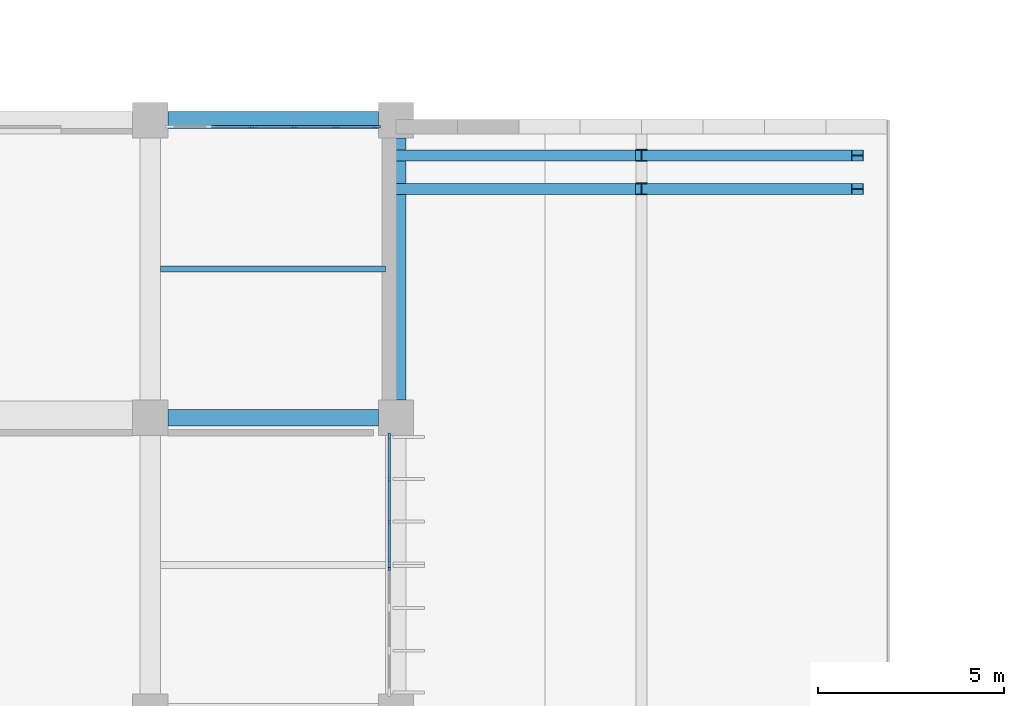
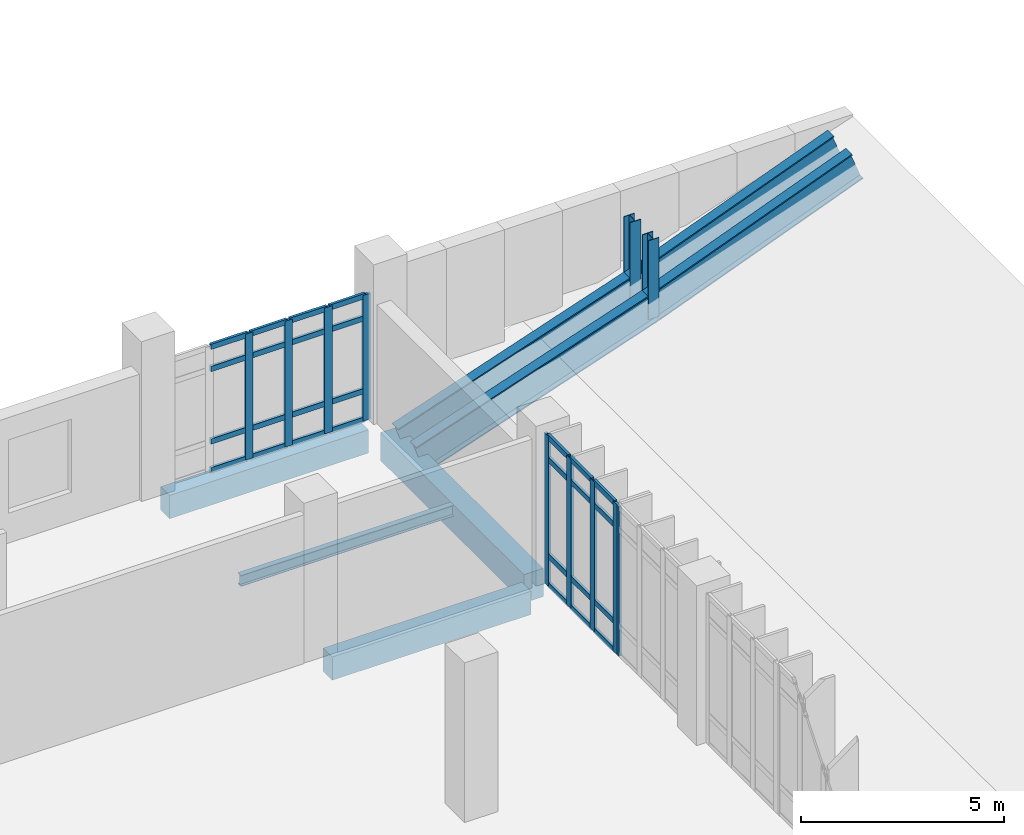
# One storey, part 45 of 90: 43 members, 4 beams, 3 elements without a shape of their own.
"""IFC4 building model written with IfcOpenShell, lengths in metres."""

from ifc_helpers import new_model, si_unit, direction, frame, origin, origin_2d, place, context, subcontext, project, spatial, rectangle, i_section, extrude, material, layer, layer_set, material_profile, profile_set, type_object, element, aggregate, save


model = new_model("IFC4")

# Units and contexts
model_context = context("Model", 3, precision=1e-05, world=origin(), true_north=direction((0.0, 1.0)))
body_context = subcontext(model_context, "Body", "Model", "MODEL_VIEW")
ifc_project = project(units=[si_unit("LENGTHUNIT", "METRE"), si_unit("AREAUNIT", "SQUARE_METRE"), si_unit("VOLUMEUNIT", "CUBIC_METRE"), si_unit("PLANEANGLEUNIT", "RADIAN"), si_unit("MASSUNIT", "GRAM", prefix="KILO")], contexts=[model_context])

# Site, building, storey
site_placement = place(None, origin())
site = spatial("IfcSite", under=ifc_project, at=site_placement, CompositionType="ELEMENT")
building_placement = place(site_placement, origin())
building = spatial("IfcBuilding", under=site, at=building_placement, Name="Kelarvand Opera House", CompositionType="ELEMENT")
storey_placement = place(building_placement, frame((0.0, 0.0, 5.39990234375)))
storey = spatial("IfcBuildingStorey", under=building, at=storey_placement, Name="L01", CompositionType="ELEMENT", Elevation=5.39990234375)

# Curtain wall, members
ifc_material_1 = material(Name="Thermally broken aluminium and low-E glazing", Category="aluminium")
ifc_layer_1 = layer(ifc_material_1, 0.219970703125, Name="Thermally broken aluminium and low-E glazing", Category="aluminium")
ifc_layer_set_1 = layer_set([ifc_layer_1], Name="Thermally broken aluminium and low-E glazing")
curtain_wall_type_1 = type_object("IfcCurtainWallType", Name="Unitised Low-E Curtain Wall 5630x3780 Mod 1150 CWF-03", PredefinedType="USERDEFINED", material=ifc_layer_set_1)
curtain_wall_1_placement = place(storey_placement, origin())
curtain_wall_1 = element("IfcCurtainWall", 1, at=curtain_wall_1_placement, inside=storey, type_object=curtain_wall_type_1, Name="V1 L01 Curtain Wall CWF-03 (7)", ObjectType="UNITISED CURTAIN WALL", PredefinedType="USERDEFINED")
ifc_material_2 = material(Name="Thermally broken anodised aluminium", Category="aluminium")
ifc_material_profile_1 = material_profile(ifc_material_2, rectangle(XDim=0.074951171875, YDim=0.219970703125, at=origin_2d()), Name="ALU MULLION 75x220", Category="aluminium")
ifc_profile_set_1 = profile_set([ifc_material_profile_1], Name="Thermally broken anodised aluminium")
member_type_1 = type_object("IfcMemberType", Name="Curtain Wall Mullion 75x220 Heavy Plaza", PredefinedType="MULLION", material=ifc_profile_set_1)
member_1_placement = place(storey_placement, frame((137.93701171875, 78.219970703125, 0.0), z_axis=(0.0, 0.0, 1.0), x_axis=(0.0, 1.0, 0.0)))
member_1 = element("IfcMember", 2, at=member_1_placement, type_object=member_type_1, Name="CWF-03 mullion 3", PredefinedType="MULLION", context=body_context, shape_type="SweptSolid", body=[
    extrude(rectangle(XDim=0.074951171875, YDim=0.219970703125, at=origin_2d()), origin(), (0.0, 0.0, 1.0), 3.780029296875),
])
member_2_placement = place(storey_placement, frame((139.06298828125, 78.219970703125, 0.0), z_axis=(0.0, 0.0, 1.0), x_axis=(0.0, 1.0, 0.0)))
member_2 = element("IfcMember", 3, at=member_2_placement, type_object=member_type_1, Name="CWF-03 mullion 4", PredefinedType="MULLION", context=body_context, shape_type="SweptSolid", body=[
    extrude(rectangle(XDim=0.074951171875, YDim=0.219970703125, at=origin_2d()), origin(), (0.0, 0.0, 1.0), 3.780029296875),
])
member_3_placement = place(storey_placement, frame((140.18896484375, 78.219970703125, 0.0), z_axis=(0.0, 0.0, 1.0), x_axis=(0.0, 1.0, 0.0)))
member_3 = element("IfcMember", 4, at=member_3_placement, type_object=member_type_1, Name="CWF-03 mullion 5", PredefinedType="MULLION", context=body_context, shape_type="SweptSolid", body=[
    extrude(rectangle(XDim=0.074951171875, YDim=0.219970703125, at=origin_2d()), origin(), (0.0, 0.0, 1.0), 3.780029296875),
])
member_4_placement = place(storey_placement, frame((141.277587890625, 78.219970703125, 0.0), z_axis=(0.0, 0.0, 1.0), x_axis=(0.0, 1.0, 0.0)))
member_4 = element("IfcMember", 5, at=member_4_placement, type_object=member_type_1, Name="CWF-03 mullion 6", PredefinedType="MULLION", context=body_context, shape_type="SweptSolid", body=[
    extrude(rectangle(XDim=0.074951171875, YDim=0.219970703125, at=origin_2d()), origin(), (0.0, 0.0, 1.0), 3.780029296875),
])

ifc_layer_2 = layer(ifc_material_1, 0.219970703125, Name="Thermally broken aluminium and low-E glazing", Category="aluminium")
ifc_layer_set_2 = layer_set([ifc_layer_2], Name="Thermally broken aluminium and low-E glazing")
curtain_wall_type_2 = type_object("IfcCurtainWallType", Name="Unitised Low-E Curtain Wall 3461x4500 Mod 1150 CWF-04", PredefinedType="USERDEFINED", material=ifc_layer_set_2)
curtain_wall_2_placement = place(storey_placement, origin())
curtain_wall_2 = element("IfcCurtainWall", 6, at=curtain_wall_2_placement, inside=storey, type_object=curtain_wall_type_2, Name="V1 L01 Curtain Wall CWF-04 (8)", ObjectType="UNITISED CURTAIN WALL", PredefinedType="USERDEFINED")
member_5_placement = place(storey_placement, frame((141.6201171875, 69.87744140625, 0.0), z_axis=(0.0, 0.0, 1.0), x_axis=(1.0, 0.0, 0.0)))
member_5 = element("IfcMember", 7, at=member_5_placement, type_object=member_type_1, Name="CWF-04 mullion 1", PredefinedType="MULLION", context=body_context, shape_type="SweptSolid", body=[
    extrude(rectangle(XDim=0.074951171875, YDim=0.219970703125, at=origin_2d()), origin(), (0.0, 0.0, 1.0), 4.5),
])
member_6_placement = place(storey_placement, frame((141.6201171875, 68.76123046875, 0.0), z_axis=(0.0, 0.0, 1.0), x_axis=(1.0, 0.0, 0.0)))
member_6 = element("IfcMember", 8, at=member_6_placement, type_object=member_type_1, Name="CWF-04 mullion 2", PredefinedType="MULLION", context=body_context, shape_type="SweptSolid", body=[
    extrude(rectangle(XDim=0.074951171875, YDim=0.219970703125, at=origin_2d()), origin(), (0.0, 0.0, 1.0), 4.5),
])
member_7_placement = place(storey_placement, frame((141.6201171875, 67.607666015625, 0.0), z_axis=(0.0, 0.0, 1.0), x_axis=(1.0, 0.0, 0.0)))
member_7 = element("IfcMember", 9, at=member_7_placement, type_object=member_type_1, Name="CWF-04 mullion 3", PredefinedType="MULLION", context=body_context, shape_type="SweptSolid", body=[
    extrude(rectangle(XDim=0.074951171875, YDim=0.219970703125, at=origin_2d()), origin(), (0.0, 0.0, 1.0), 4.5),
])
member_8_placement = place(storey_placement, frame((141.6201171875, 66.491455078125, 0.0), z_axis=(0.0, 0.0, 1.0), x_axis=(1.0, 0.0, 0.0)))
member_8 = element("IfcMember", 10, at=member_8_placement, type_object=member_type_1, Name="CWF-04 mullion 4", PredefinedType="MULLION", context=body_context, shape_type="SweptSolid", body=[
    extrude(rectangle(XDim=0.074951171875, YDim=0.219970703125, at=origin_2d()), origin(), (0.0, 0.0, 1.0), 4.5),
])

# Curtain wall, member
curtain_wall_3_placement = place(storey_placement, origin())
curtain_wall_3 = element("IfcCurtainWall", 11, at=curtain_wall_3_placement, inside=storey, type_object=curtain_wall_type_2, Name="V1 L01 Curtain Wall CWF-04 (9)", ObjectType="UNITISED CURTAIN WALL", PredefinedType="USERDEFINED")
member_9_placement = place(storey_placement, frame((141.6201171875, 66.41259765625, 0.0), z_axis=(0.0, 0.0, 1.0), x_axis=(1.0, 0.0, 0.0)))
member_9 = element("IfcMember", 12, at=member_9_placement, type_object=member_type_1, Name="CWF-04 mullion 1", PredefinedType="MULLION", context=body_context, shape_type="SweptSolid", body=[
    extrude(rectangle(XDim=0.074951171875, YDim=0.219970703125, at=origin_2d()), origin(), (0.0, 0.0, 1.0), 4.5),
])
aggregate(curtain_wall_3, [member_9])

# Member
ifc_material_profile_2 = material_profile(ifc_material_2, rectangle(XDim=0.074951171875, YDim=0.159912109375, at=origin_2d()), Name="ALU TRANSOM 75x160", Category="aluminium")
ifc_profile_set_2 = profile_set([ifc_material_profile_2], Name="Thermally broken anodised aluminium")
member_type_2 = type_object("IfcMemberType", Name="Curtain Wall Transom 75x160 Heavy Plaza", PredefinedType="USERDEFINED", material=ifc_profile_set_2)
member_10_placement = place(storey_placement, frame((136.848388671875, 78.219970703125, 0.03759765625), z_axis=(1.0, 0.0, 0.0), x_axis=(0.0, 1.0, 0.0)))
member_10 = element("IfcMember", 13, at=member_10_placement, type_object=member_type_2, Name="CWF-03 transom 2.1", ObjectType="TRANSOM", PredefinedType="USERDEFINED", context=body_context, shape_type="SweptSolid", body=[
    extrude(rectangle(XDim=0.074951171875, YDim=0.159912109375, at=origin_2d()), origin(), (0.0, 0.0, 1.0), 1.051025390625),
])

member_11_placement = place(storey_placement, frame((136.848388671875, 78.219970703125, 0.900146484375), z_axis=(1.0, 0.0, 0.0), x_axis=(0.0, 1.0, 0.0)))
member_11 = element("IfcMember", 14, at=member_11_placement, type_object=member_type_2, Name="CWF-03 transom 2.2", ObjectType="TRANSOM", PredefinedType="USERDEFINED", context=body_context, shape_type="SweptSolid", body=[
    extrude(rectangle(XDim=0.074951171875, YDim=0.159912109375, at=origin_2d()), origin(), (0.0, 0.0, 1.0), 1.051025390625),
])

member_12_placement = place(storey_placement, frame((136.848388671875, 78.219970703125, 3.080078125), z_axis=(1.0, 0.0, 0.0), x_axis=(0.0, 1.0, 0.0)))
member_12 = element("IfcMember", 15, at=member_12_placement, type_object=member_type_2, Name="CWF-03 transom 2.3", ObjectType="TRANSOM", PredefinedType="USERDEFINED", context=body_context, shape_type="SweptSolid", body=[
    extrude(rectangle(XDim=0.074951171875, YDim=0.159912109375, at=origin_2d()), origin(), (0.0, 0.0, 1.0), 1.051025390625),
])

member_13_placement = place(storey_placement, frame((136.848388671875, 78.219970703125, 3.74267578125), z_axis=(1.0, 0.0, 0.0), x_axis=(0.0, 1.0, 0.0)))
member_13 = element("IfcMember", 16, at=member_13_placement, type_object=member_type_2, Name="CWF-03 transom 2.4", ObjectType="TRANSOM", PredefinedType="USERDEFINED", context=body_context, shape_type="SweptSolid", body=[
    extrude(rectangle(XDim=0.074951171875, YDim=0.159912109375, at=origin_2d()), origin(), (0.0, 0.0, 1.0), 1.051025390625),
])

member_14_placement = place(storey_placement, frame((137.974609375, 78.219970703125, 0.03759765625), z_axis=(1.0, 0.0, 0.0), x_axis=(0.0, 1.0, 0.0)))
member_14 = element("IfcMember", 17, at=member_14_placement, type_object=member_type_2, Name="CWF-03 transom 3.1", ObjectType="TRANSOM", PredefinedType="USERDEFINED", context=body_context, shape_type="SweptSolid", body=[
    extrude(rectangle(XDim=0.074951171875, YDim=0.159912109375, at=origin_2d()), origin(), (0.0, 0.0, 1.0), 1.05078125),
])

member_15_placement = place(storey_placement, frame((137.974609375, 78.219970703125, 0.900146484375), z_axis=(1.0, 0.0, 0.0), x_axis=(0.0, 1.0, 0.0)))
member_15 = element("IfcMember", 18, at=member_15_placement, type_object=member_type_2, Name="CWF-03 transom 3.2", ObjectType="TRANSOM", PredefinedType="USERDEFINED", context=body_context, shape_type="SweptSolid", body=[
    extrude(rectangle(XDim=0.074951171875, YDim=0.159912109375, at=origin_2d()), origin(), (0.0, 0.0, 1.0), 1.05078125),
])

member_16_placement = place(storey_placement, frame((137.974609375, 78.219970703125, 3.080078125), z_axis=(1.0, 0.0, 0.0), x_axis=(0.0, 1.0, 0.0)))
member_16 = element("IfcMember", 19, at=member_16_placement, type_object=member_type_2, Name="CWF-03 transom 3.3", ObjectType="TRANSOM", PredefinedType="USERDEFINED", context=body_context, shape_type="SweptSolid", body=[
    extrude(rectangle(XDim=0.074951171875, YDim=0.159912109375, at=origin_2d()), origin(), (0.0, 0.0, 1.0), 1.05078125),
])

member_17_placement = place(storey_placement, frame((137.974609375, 78.219970703125, 3.74267578125), z_axis=(1.0, 0.0, 0.0), x_axis=(0.0, 1.0, 0.0)))
member_17 = element("IfcMember", 20, at=member_17_placement, type_object=member_type_2, Name="CWF-03 transom 3.4", ObjectType="TRANSOM", PredefinedType="USERDEFINED", context=body_context, shape_type="SweptSolid", body=[
    extrude(rectangle(XDim=0.074951171875, YDim=0.159912109375, at=origin_2d()), origin(), (0.0, 0.0, 1.0), 1.05078125),
])

member_18_placement = place(storey_placement, frame((139.1005859375, 78.219970703125, 0.03759765625), z_axis=(1.0, 0.0, 0.0), x_axis=(0.0, 1.0, 0.0)))
member_18 = element("IfcMember", 21, at=member_18_placement, type_object=member_type_2, Name="CWF-03 transom 4.1", ObjectType="TRANSOM", PredefinedType="USERDEFINED", context=body_context, shape_type="SweptSolid", body=[
    extrude(rectangle(XDim=0.074951171875, YDim=0.159912109375, at=origin_2d()), origin(), (0.0, 0.0, 1.0), 1.051025390625),
])

member_19_placement = place(storey_placement, frame((139.1005859375, 78.219970703125, 0.900146484375), z_axis=(1.0, 0.0, 0.0), x_axis=(0.0, 1.0, 0.0)))
member_19 = element("IfcMember", 22, at=member_19_placement, type_object=member_type_2, Name="CWF-03 transom 4.2", ObjectType="TRANSOM", PredefinedType="USERDEFINED", context=body_context, shape_type="SweptSolid", body=[
    extrude(rectangle(XDim=0.074951171875, YDim=0.159912109375, at=origin_2d()), origin(), (0.0, 0.0, 1.0), 1.051025390625),
])

member_20_placement = place(storey_placement, frame((139.1005859375, 78.219970703125, 3.080078125), z_axis=(1.0, 0.0, 0.0), x_axis=(0.0, 1.0, 0.0)))
member_20 = element("IfcMember", 23, at=member_20_placement, type_object=member_type_2, Name="CWF-03 transom 4.3", ObjectType="TRANSOM", PredefinedType="USERDEFINED", context=body_context, shape_type="SweptSolid", body=[
    extrude(rectangle(XDim=0.074951171875, YDim=0.159912109375, at=origin_2d()), origin(), (0.0, 0.0, 1.0), 1.051025390625),
])

member_21_placement = place(storey_placement, frame((139.1005859375, 78.219970703125, 3.74267578125), z_axis=(1.0, 0.0, 0.0), x_axis=(0.0, 1.0, 0.0)))
member_21 = element("IfcMember", 24, at=member_21_placement, type_object=member_type_2, Name="CWF-03 transom 4.4", ObjectType="TRANSOM", PredefinedType="USERDEFINED", context=body_context, shape_type="SweptSolid", body=[
    extrude(rectangle(XDim=0.074951171875, YDim=0.159912109375, at=origin_2d()), origin(), (0.0, 0.0, 1.0), 1.051025390625),
])

member_22_placement = place(storey_placement, frame((140.2265625, 78.219970703125, 0.03759765625), z_axis=(1.0, 0.0, 0.0), x_axis=(0.0, 1.0, 0.0)))
member_22 = element("IfcMember", 25, at=member_22_placement, type_object=member_type_2, Name="CWF-03 transom 5.1", ObjectType="TRANSOM", PredefinedType="USERDEFINED", context=body_context, shape_type="SweptSolid", body=[
    extrude(rectangle(XDim=0.074951171875, YDim=0.159912109375, at=origin_2d()), origin(), (0.0, 0.0, 1.0), 1.013427734375),
])

member_23_placement = place(storey_placement, frame((140.2265625, 78.219970703125, 0.900146484375), z_axis=(1.0, 0.0, 0.0), x_axis=(0.0, 1.0, 0.0)))
member_23 = element("IfcMember", 26, at=member_23_placement, type_object=member_type_2, Name="CWF-03 transom 5.2", ObjectType="TRANSOM", PredefinedType="USERDEFINED", context=body_context, shape_type="SweptSolid", body=[
    extrude(rectangle(XDim=0.074951171875, YDim=0.159912109375, at=origin_2d()), origin(), (0.0, 0.0, 1.0), 1.013427734375),
])

member_24_placement = place(storey_placement, frame((140.2265625, 78.219970703125, 3.080078125), z_axis=(1.0, 0.0, 0.0), x_axis=(0.0, 1.0, 0.0)))
member_24 = element("IfcMember", 27, at=member_24_placement, type_object=member_type_2, Name="CWF-03 transom 5.3", ObjectType="TRANSOM", PredefinedType="USERDEFINED", context=body_context, shape_type="SweptSolid", body=[
    extrude(rectangle(XDim=0.074951171875, YDim=0.159912109375, at=origin_2d()), origin(), (0.0, 0.0, 1.0), 1.013427734375),
])

member_25_placement = place(storey_placement, frame((140.2265625, 78.219970703125, 3.74267578125), z_axis=(1.0, 0.0, 0.0), x_axis=(0.0, 1.0, 0.0)))
member_25 = element("IfcMember", 28, at=member_25_placement, type_object=member_type_2, Name="CWF-03 transom 5.4", ObjectType="TRANSOM", PredefinedType="USERDEFINED", context=body_context, shape_type="SweptSolid", body=[
    extrude(rectangle(XDim=0.074951171875, YDim=0.159912109375, at=origin_2d()), origin(), (0.0, 0.0, 1.0), 1.013427734375),
])

aggregate(curtain_wall_1, [member_1, member_2, member_3, member_4, member_10, member_11, member_12, member_13, member_14, member_15, member_16, member_17, member_18, member_19, member_20, member_21, member_22, member_23, member_24, member_25])

member_26_placement = place(storey_placement, frame((141.6201171875, 69.840087890625, 0.03759765625), z_axis=(0.0, -1.0, 0.0), x_axis=(1.0, 0.0, 0.0)))
member_26 = element("IfcMember", 29, at=member_26_placement, type_object=member_type_2, Name="CWF-04 transom 1.1", ObjectType="TRANSOM", PredefinedType="USERDEFINED", context=body_context, shape_type="SweptSolid", body=[
    extrude(rectangle(XDim=0.074951171875, YDim=0.159912109375, at=origin_2d()), origin(), (0.0, 0.0, 1.0), 1.041259765625),
])

member_27_placement = place(storey_placement, frame((141.6201171875, 69.840087890625, 0.900146484375), z_axis=(0.0, -1.0, 0.0), x_axis=(1.0, 0.0, 0.0)))
member_27 = element("IfcMember", 30, at=member_27_placement, type_object=member_type_2, Name="CWF-04 transom 1.2", ObjectType="TRANSOM", PredefinedType="USERDEFINED", context=body_context, shape_type="SweptSolid", body=[
    extrude(rectangle(XDim=0.074951171875, YDim=0.159912109375, at=origin_2d()), origin(), (0.0, 0.0, 1.0), 1.041259765625),
])

member_28_placement = place(storey_placement, frame((141.6201171875, 69.840087890625, 3.800048828125), z_axis=(0.0, -1.0, 0.0), x_axis=(1.0, 0.0, 0.0)))
member_28 = element("IfcMember", 31, at=member_28_placement, type_object=member_type_2, Name="CWF-04 transom 1.3", ObjectType="TRANSOM", PredefinedType="USERDEFINED", context=body_context, shape_type="SweptSolid", body=[
    extrude(rectangle(XDim=0.074951171875, YDim=0.159912109375, at=origin_2d()), origin(), (0.0, 0.0, 1.0), 1.041259765625),
])

member_29_placement = place(storey_placement, frame((141.6201171875, 69.840087890625, 4.462646484375), z_axis=(0.0, -1.0, 0.0), x_axis=(1.0, 0.0, 0.0)))
member_29 = element("IfcMember", 32, at=member_29_placement, type_object=member_type_2, Name="CWF-04 transom 1.4", ObjectType="TRANSOM", PredefinedType="USERDEFINED", context=body_context, shape_type="SweptSolid", body=[
    extrude(rectangle(XDim=0.074951171875, YDim=0.159912109375, at=origin_2d()), origin(), (0.0, 0.0, 1.0), 1.041259765625),
])

member_30_placement = place(storey_placement, frame((141.6201171875, 68.723876953125, 0.03759765625), z_axis=(0.0, -1.0, 0.0), x_axis=(1.0, 0.0, 0.0)))
member_30 = element("IfcMember", 33, at=member_30_placement, type_object=member_type_2, Name="CWF-04 transom 2.1", ObjectType="TRANSOM", PredefinedType="USERDEFINED", context=body_context, shape_type="SweptSolid", body=[
    extrude(rectangle(XDim=0.074951171875, YDim=0.159912109375, at=origin_2d()), origin(), (0.0, 0.0, 1.0), 1.07861328125),
])

member_31_placement = place(storey_placement, frame((141.6201171875, 68.723876953125, 0.900146484375), z_axis=(0.0, -1.0, 0.0), x_axis=(1.0, 0.0, 0.0)))
member_31 = element("IfcMember", 34, at=member_31_placement, type_object=member_type_2, Name="CWF-04 transom 2.2", ObjectType="TRANSOM", PredefinedType="USERDEFINED", context=body_context, shape_type="SweptSolid", body=[
    extrude(rectangle(XDim=0.074951171875, YDim=0.159912109375, at=origin_2d()), origin(), (0.0, 0.0, 1.0), 1.07861328125),
])

member_32_placement = place(storey_placement, frame((141.6201171875, 68.723876953125, 3.800048828125), z_axis=(0.0, -1.0, 0.0), x_axis=(1.0, 0.0, 0.0)))
member_32 = element("IfcMember", 35, at=member_32_placement, type_object=member_type_2, Name="CWF-04 transom 2.3", ObjectType="TRANSOM", PredefinedType="USERDEFINED", context=body_context, shape_type="SweptSolid", body=[
    extrude(rectangle(XDim=0.074951171875, YDim=0.159912109375, at=origin_2d()), origin(), (0.0, 0.0, 1.0), 1.07861328125),
])

member_33_placement = place(storey_placement, frame((141.6201171875, 68.723876953125, 4.462646484375), z_axis=(0.0, -1.0, 0.0), x_axis=(1.0, 0.0, 0.0)))
member_33 = element("IfcMember", 36, at=member_33_placement, type_object=member_type_2, Name="CWF-04 transom 2.4", ObjectType="TRANSOM", PredefinedType="USERDEFINED", context=body_context, shape_type="SweptSolid", body=[
    extrude(rectangle(XDim=0.074951171875, YDim=0.159912109375, at=origin_2d()), origin(), (0.0, 0.0, 1.0), 1.07861328125),
])

member_34_placement = place(storey_placement, frame((141.6201171875, 67.570068359375, 0.03759765625), z_axis=(0.0, -1.0, 0.0), x_axis=(1.0, 0.0, 0.0)))
member_34 = element("IfcMember", 37, at=member_34_placement, type_object=member_type_2, Name="CWF-04 transom 3.1", ObjectType="TRANSOM", PredefinedType="USERDEFINED", context=body_context, shape_type="SweptSolid", body=[
    extrude(rectangle(XDim=0.074951171875, YDim=0.159912109375, at=origin_2d()), origin(), (0.0, 0.0, 1.0), 1.041015625),
])

member_35_placement = place(storey_placement, frame((141.6201171875, 67.570068359375, 0.900146484375), z_axis=(0.0, -1.0, 0.0), x_axis=(1.0, 0.0, 0.0)))
member_35 = element("IfcMember", 38, at=member_35_placement, type_object=member_type_2, Name="CWF-04 transom 3.2", ObjectType="TRANSOM", PredefinedType="USERDEFINED", context=body_context, shape_type="SweptSolid", body=[
    extrude(rectangle(XDim=0.074951171875, YDim=0.159912109375, at=origin_2d()), origin(), (0.0, 0.0, 1.0), 1.041015625),
])

member_36_placement = place(storey_placement, frame((141.6201171875, 67.570068359375, 3.800048828125), z_axis=(0.0, -1.0, 0.0), x_axis=(1.0, 0.0, 0.0)))
member_36 = element("IfcMember", 39, at=member_36_placement, type_object=member_type_2, Name="CWF-04 transom 3.3", ObjectType="TRANSOM", PredefinedType="USERDEFINED", context=body_context, shape_type="SweptSolid", body=[
    extrude(rectangle(XDim=0.074951171875, YDim=0.159912109375, at=origin_2d()), origin(), (0.0, 0.0, 1.0), 1.041015625),
])

member_37_placement = place(storey_placement, frame((141.6201171875, 67.570068359375, 4.462646484375), z_axis=(0.0, -1.0, 0.0), x_axis=(1.0, 0.0, 0.0)))
member_37 = element("IfcMember", 40, at=member_37_placement, type_object=member_type_2, Name="CWF-04 transom 3.4", ObjectType="TRANSOM", PredefinedType="USERDEFINED", context=body_context, shape_type="SweptSolid", body=[
    extrude(rectangle(XDim=0.074951171875, YDim=0.159912109375, at=origin_2d()), origin(), (0.0, 0.0, 1.0), 1.041015625),
])

aggregate(curtain_wall_2, [member_5, member_6, member_7, member_8, member_26, member_27, member_28, member_29, member_30, member_31, member_32, member_33, member_34, member_35, member_36, member_37])

# Beams
ifc_material_3 = material(Name="Concrete C40/50", Category="concrete")
ifc_material_profile_3 = material_profile(ifc_material_3, rectangle(XDim=0.449951171875, YDim=0.699951171875, at=origin_2d()), Name="RC 450x700", Category="concrete")
ifc_profile_set_3 = profile_set([ifc_material_profile_3], Name="Concrete C40/50")
beam_type_1 = type_object("IfcBeamType", Name="Structural Beam RC 450x700 BM-RC450x700", PredefinedType="BEAM", material=ifc_profile_set_3)
for number, where, z_axis, x_axis, name in (
    (41, (135.675048828125, 70.39990234375, -0.64990234375), (1.0, 0.0, 0.0), (0.0, 1.0, 0.0), "V1 L01 Beam BM-RC450x700"),
    (42, (135.675048828125, 78.39990234375, -0.64990234375), (1.0, 0.0, 0.0), (0.0, 1.0, 0.0), "V1 L01 Beam BM-RC450x700"),
):
    element("IfcBeam", number, at=place(storey_placement, frame(where, z_axis=z_axis, x_axis=x_axis)), inside=storey, type_object=beam_type_1, Name=name, PredefinedType="BEAM", context=body_context, shape_type="SweptSolid", body=[
        extrude(rectangle(XDim=0.449951171875, YDim=0.699951171875, at=origin_2d()), origin(), (0.0, 0.0, 1.0), 5.64990234375),
    ])
ifc_material_profile_4 = material_profile(ifc_material_3, rectangle(XDim=0.550048828125, YDim=0.85009765625, at=origin_2d()), Name="RC 550x850", Category="concrete")
ifc_profile_set_4 = profile_set([ifc_material_profile_4], Name="Concrete C40/50")
beam_type_2 = type_object("IfcBeamType", Name="Structural Beam RC 550x850 BM-RC550x850", PredefinedType="BEAM", material=ifc_profile_set_4)
beam_1_placement = place(storey_placement, frame((141.800048828125, 70.875, -0.724853515625), z_axis=(0.0, 1.0, 0.0), x_axis=(-1.0, 0.0, 0.0)))
element("IfcBeam", 43, at=beam_1_placement, inside=storey, type_object=beam_type_2, Name="V1 L01 Beam BM-RC550x850", PredefinedType="BEAM", context=body_context, shape_type="SweptSolid", body=[
    extrude(rectangle(XDim=0.550048828125, YDim=0.85009765625, at=origin_2d()), origin(), (0.0, 0.0, 1.0), 7.050048828125),
])

# Members
ifc_material_4 = material(Name="Steel S355", Category="steel")
ifc_material_profile_5 = material_profile(ifc_material_4, i_section(OverallWidth=0.300048828125, OverallDepth=0.89990234375, WebThickness=0.0185546875, FlangeThickness=0.034912109375, at=origin_2d()), Name="HEB 900", Category="steel")
ifc_profile_set_5 = profile_set([ifc_material_profile_5], Name="Steel S355")
member_type_3 = type_object("IfcMemberType", Name="Structural Chord HEB 900 CH-HEB900", PredefinedType="CHORD", material=ifc_profile_set_5)
member_38_placement = place(storey_placement, frame((141.800048828125, 76.550048828125, -0.2998046875), z_axis=(0.946945769649, 0.0, 0.321393387213), x_axis=(0.0, 1.0, 0.0)))
element("IfcMember", 44, at=member_38_placement, inside=storey, type_object=member_type_3, Name="Cantilever Raked Underside Chord CT3.1", PredefinedType="CHORD", context=body_context, shape_type="SweptSolid", body=[
    extrude(i_section(OverallWidth=0.300048828125, OverallDepth=0.89990234375, WebThickness=0.0185546875, FlangeThickness=0.034912109375, at=origin_2d()), origin(), (0.0, 0.0, 1.0), 6.9697265625),
])
member_39_placement = place(storey_placement, frame((148.39990234375, 76.550048828125, 1.940185546875), z_axis=(0.932848827197, 0.0, 0.360268046872), x_axis=(0.0, 1.0, 0.0)))
element("IfcMember", 45, at=member_39_placement, inside=storey, type_object=member_type_3, Name="Cantilever Raked Underside Chord CT3.2", PredefinedType="CHORD", context=body_context, shape_type="SweptSolid", body=[
    extrude(i_section(OverallWidth=0.300048828125, OverallDepth=0.89990234375, WebThickness=0.0185546875, FlangeThickness=0.034912109375, at=origin_2d()), origin(), (0.0, 0.0, 1.0), 6.217529296875),
])
member_40_placement = place(storey_placement, frame((141.800048828125, 77.449951171875, -0.2998046875), z_axis=(0.946945769649, 0.0, 0.321393387213), x_axis=(0.0, 1.0, 0.0)))
element("IfcMember", 46, at=member_40_placement, inside=storey, type_object=member_type_3, Name="Cantilever Raked Underside Chord CT4.1", PredefinedType="CHORD", context=body_context, shape_type="SweptSolid", body=[
    extrude(i_section(OverallWidth=0.300048828125, OverallDepth=0.89990234375, WebThickness=0.0185546875, FlangeThickness=0.034912109375, at=origin_2d()), origin(), (0.0, 0.0, 1.0), 6.9697265625),
])
member_41_placement = place(storey_placement, frame((148.39990234375, 77.449951171875, 1.940185546875), z_axis=(0.932848827197, 0.0, 0.360268046872), x_axis=(0.0, 1.0, 0.0)))
element("IfcMember", 47, at=member_41_placement, inside=storey, type_object=member_type_3, Name="Cantilever Raked Underside Chord CT4.2", PredefinedType="CHORD", context=body_context, shape_type="SweptSolid", body=[
    extrude(i_section(OverallWidth=0.300048828125, OverallDepth=0.89990234375, WebThickness=0.0185546875, FlangeThickness=0.034912109375, at=origin_2d()), origin(), (0.0, 0.0, 1.0), 6.217529296875),
])

# Beam
ifc_material_profile_6 = material_profile(ifc_material_4, i_section(OverallWidth=0.159912109375, OverallDepth=0.330078125, WebThickness=0.007568359375, FlangeThickness=0.011474609375, at=origin_2d()), Name="IPE 330", Category="steel")
ifc_profile_set_6 = profile_set([ifc_material_profile_6], Name="Steel S355")
beam_type_3 = type_object("IfcBeamType", Name="Structural Joist IPE 330 JS-IPE330", PredefinedType="JOIST", material=ifc_profile_set_6)
beam_2_placement = place(storey_placement, frame((135.47509765625, 74.39990234375, -0.46484375), z_axis=(1.0, 0.0, 0.0), x_axis=(0.0, 1.0, 0.0)))
element("IfcBeam", 48, at=beam_2_placement, inside=storey, type_object=beam_type_3, Name="V1 L01 Beam JS-IPE330", PredefinedType="JOIST", context=body_context, shape_type="SweptSolid", body=[
    extrude(i_section(OverallWidth=0.159912109375, OverallDepth=0.330078125, WebThickness=0.007568359375, FlangeThickness=0.011474609375, at=origin_2d()), origin(), (0.0, 0.0, 1.0), 6.0498046875),
])

# Members
ifc_material_profile_7 = material_profile(ifc_material_4, i_section(OverallWidth=0.300048828125, OverallDepth=0.320068359375, WebThickness=0.011474609375, FlangeThickness=0.0205078125, at=origin_2d()), Name="HEB 320", Category="steel")
ifc_profile_set_7 = profile_set([ifc_material_profile_7], Name="Steel S355")
member_type_4 = type_object("IfcMemberType", Name="Structural Post HEB 320 PS-HEB320", PredefinedType="POST", material=ifc_profile_set_7)
for number, where, z_axis, x_axis, name in (
    (49, (148.39990234375, 76.550048828125, 1.66015625), (0.0, 0.0, 1.0), (1.0, 0.0, 0.0), "Cantilever Raked Underside Hanger Post CT3"),
    (50, (148.39990234375, 77.449951171875, 1.66015625), (0.0, 0.0, 1.0), (1.0, 0.0, 0.0), "Cantilever Raked Underside Hanger Post CT4"),
):
    element("IfcMember", number, at=place(storey_placement, frame(where, z_axis=z_axis, x_axis=x_axis)), inside=storey, type_object=member_type_4, Name=name, PredefinedType="POST", context=body_context, shape_type="SweptSolid", body=[
        extrude(i_section(OverallWidth=0.300048828125, OverallDepth=0.320068359375, WebThickness=0.011474609375, FlangeThickness=0.0205078125, at=origin_2d()), origin(), (0.0, 0.0, 1.0), 2.369873046875),
    ])

save(model, "model.ifc")
